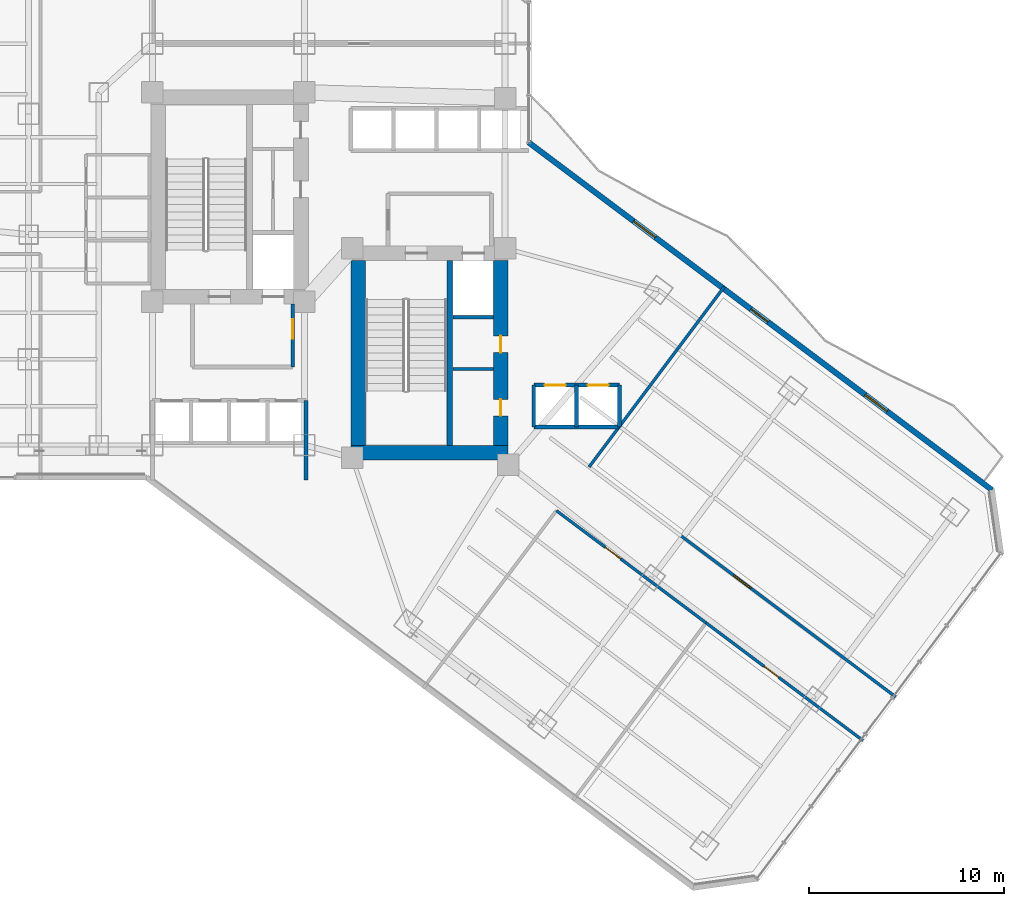
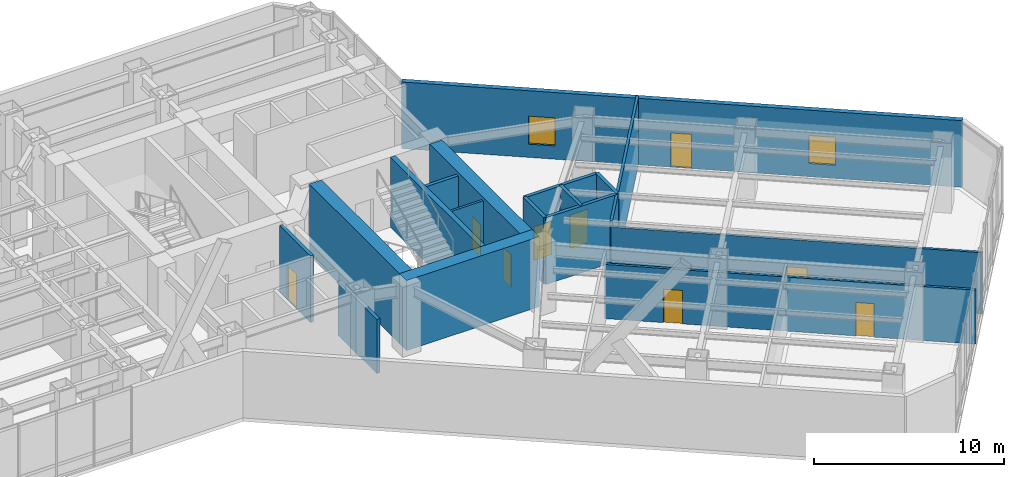
# One storey, part 22 of 29: 18 walls, 9 doors, 2 windows, 11 openings.
"""IFC4 building model written with IfcOpenShell, lengths in metres."""

from ifc_helpers import new_model, si_unit, direction, frame, frame_2d, origin, place, context, subcontext, project, spatial, rectangle, extrude, material, layer, layer_set, type_object, element, fill, save


model = new_model("IFC4")

# Units and contexts
model_context = context("Model", 3, precision=1e-05, world=origin(), true_north=direction((0.0, 1.0)))
body_context = subcontext(model_context, "Body", "Model", "MODEL_VIEW")
ifc_project = project(units=[si_unit("LENGTHUNIT", "METRE"), si_unit("AREAUNIT", "SQUARE_METRE"), si_unit("VOLUMEUNIT", "CUBIC_METRE"), si_unit("PLANEANGLEUNIT", "RADIAN"), si_unit("MASSUNIT", "GRAM", prefix="KILO")], contexts=[model_context])

# Site, building, storey
site_placement = place(None, origin())
site = spatial("IfcSite", under=ifc_project, at=site_placement, CompositionType="ELEMENT")
building_placement = place(site_placement, origin())
building = spatial("IfcBuilding", under=site, at=building_placement, Name="Hatsunagi Terrace Concourse", CompositionType="ELEMENT")
storey_placement = place(building_placement, frame((0.0, 0.0, 32.10009765625)))
storey = spatial("IfcBuildingStorey", under=building, at=storey_placement, Name="L07", CompositionType="ELEMENT", Elevation=32.10009765625)

# Walls
ifc_material_1 = material(Name="Concrete Fc60", Category="concrete")
ifc_layer_1 = layer(ifc_material_1, 0.75)
ifc_layer_set_1 = layer_set([ifc_layer_1], Name="CoreShearWall_Fc60_750")
wall_type_1 = type_object("IfcWallType", Name="CoreShearWall_Fc60_750", PredefinedType="SHEAR", material=ifc_layer_set_1)
wall_1_placement = place(storey_placement, frame((35.739990234375, 24.81494140625, 0.0), z_axis=(0.0, 0.0, 1.0), x_axis=(1.0, 0.0, 0.0)))
element("IfcWall", 1, at=wall_1_placement, inside=storey, type_object=wall_type_1, Name="Core B Shear Wall S L07", PredefinedType="SHEAR", context=body_context, shape_type="SweptSolid", body=[
    extrude(rectangle(XDim=8.06005859375, YDim=0.75, at=frame_2d((4.030029296875, 0.0))), origin(), (0.0, 0.0, 1.0), 4.5),
])
wall_2_placement = place(storey_placement, frame((36.114990234375, 25.18994140625, 0.0), z_axis=(0.0, 0.0, 1.0), x_axis=(0.0, 1.0, 0.0)))
element("IfcWall", 2, at=wall_2_placement, inside=storey, type_object=wall_type_1, Name="Core B Shear Wall W L07", PredefinedType="SHEAR", context=body_context, shape_type="SweptSolid", body=[
    extrude(rectangle(XDim=9.47998046875, YDim=0.75, at=frame_2d((4.739990234375, 0.0))), origin(), (0.0, 0.0, 1.0), 4.5),
])

# Wall, openings, doors
wall_3_placement = place(storey_placement, frame((43.425048828125, 25.18994140625, 0.0), z_axis=(0.0, 0.0, 1.0), x_axis=(0.0, 1.0, 0.0)))
wall_3 = element("IfcWall", 3, at=wall_3_placement, inside=storey, type_object=wall_type_1, Name="Core B Shear Wall E L07", PredefinedType="SHEAR", context=body_context, shape_type="SweptSolid", body=[
    extrude(rectangle(XDim=9.47998046875, YDim=0.75, at=frame_2d((4.739990234375, 0.0))), origin(), (0.0, 0.0, 1.0), 4.5),
])
opening_1_placement = place(wall_3_placement, frame((1.510009765625, 0.0, 0.0)))
opening_1 = element("IfcOpeningElement", 4, at=opening_1_placement, cuts=wall_3, Name="Opening DR-085", PredefinedType="OPENING", context=body_context, shape_type="SweptSolid", body=[
    extrude(rectangle(XDim=0.85009765625, YDim=2.080078125, at=frame_2d((0.425048828125, 1.0400390625))), frame((0.0, 0.385009765625, 0.0), z_axis=(0.0, -1.0, 0.0), x_axis=(1.0, 0.0, 0.0)), (0.0, 0.0, 1.0), 0.77001953125),
])
opening_2_placement = place(wall_3_placement, frame((4.760009765625, 0.0, 0.0)))
opening_2 = element("IfcOpeningElement", 5, at=opening_2_placement, cuts=wall_3, Name="Opening DR-085", PredefinedType="OPENING", context=body_context, shape_type="SweptSolid", body=[
    extrude(rectangle(XDim=0.85009765625, YDim=2.080078125, at=frame_2d((0.425048828125, 1.0400390625))), frame((0.0, 0.385009765625, 0.0), z_axis=(0.0, -1.0, 0.0), x_axis=(1.0, 0.0, 0.0)), (0.0, 0.0, 1.0), 0.77001953125),
])
ifc_material_2 = material(Name="Painted steel", Category="steel")
door_type_1 = type_object("IfcDoorType", Name="RiserAccessDoor_EI60_850", OperationType="NOTDEFINED", PredefinedType="DOOR", material=ifc_material_2)
door_1_placement = place(opening_1_placement, origin())
door_1 = element("IfcDoor", 6, at=door_1_placement, inside=storey, type_object=door_type_1, Name="Core B Riser Door L07-1", OperationType="SINGLE_SWING_RIGHT", OverallHeight=2.080078125, OverallWidth=0.85009765625, PredefinedType="DOOR", context=body_context, shape_type="SweptSolid", body=[
    extrude(rectangle(XDim=0.85009765625, YDim=2.080078125, at=frame_2d((0.425048828125, 1.0400390625))), frame((0.0, 0.02490234375, 0.0), z_axis=(0.0, -1.0, 0.0), x_axis=(1.0, 0.0, 0.0)), (0.0, 0.0, 1.0), 0.050048828125),
])
fill(opening_1, door_1)
door_2_placement = place(opening_2_placement, origin())
door_2 = element("IfcDoor", 7, at=door_2_placement, inside=storey, type_object=door_type_1, Name="Core B Riser Door L07-2", OperationType="SINGLE_SWING_RIGHT", OverallHeight=2.080078125, OverallWidth=0.85009765625, PredefinedType="DOOR", context=body_context, shape_type="SweptSolid", body=[
    extrude(rectangle(XDim=0.85009765625, YDim=2.080078125, at=frame_2d((0.425048828125, 1.0400390625))), frame((0.0, 0.02490234375, 0.0), z_axis=(0.0, -1.0, 0.0), x_axis=(1.0, 0.0, 0.0)), (0.0, 0.0, 1.0), 0.050048828125),
])
fill(opening_2, door_2)

# Walls
ifc_material_3 = material(Name="Concrete Fc48", Category="concrete")
ifc_layer_2 = layer(ifc_material_3, 0.300048828125)
ifc_layer_set_2 = layer_set([ifc_layer_2], Name="CoreStairDivider_Fc48_300")
wall_type_2 = type_object("IfcWallType", Name="CoreStairDivider_Fc48_300", PredefinedType="SHEAR", material=ifc_layer_set_2)
wall_4_placement = place(storey_placement, frame((40.81005859375, 25.18994140625, 0.0), z_axis=(0.0, 0.0, 1.0), x_axis=(0.0, 1.0, 0.0)))
element("IfcWall", 8, at=wall_4_placement, inside=storey, type_object=wall_type_2, Name="Core B Shear Wall D L07", PredefinedType="SHEAR", context=body_context, shape_type="SweptSolid", body=[
    extrude(rectangle(XDim=9.47998046875, YDim=0.300048828125, at=frame_2d((4.739990234375, 0.0))), origin(), (0.0, 0.0, 1.0), 4.5),
])
ifc_material_4 = material(Name="Acoustic mineral board", Category="gypsum")
ifc_layer_3 = layer(ifc_material_4, 0.14990234375)
ifc_layer_set_3 = layer_set([ifc_layer_3], Name="PartitionWall_EI60_150")
wall_type_3 = type_object("IfcWallType", Name="PartitionWall_EI60_150", PredefinedType="PARTITIONING", material=ifc_layer_set_3)
wall_5_placement = place(storey_placement, frame((40.969970703125, 29.10009765625, 0.0), z_axis=(0.0, 0.0, 1.0), x_axis=(1.0, 0.0, 0.0)))
element("IfcWall", 9, at=wall_5_placement, inside=storey, type_object=wall_type_3, Name="Interior Partition IW-L07-005", PredefinedType="PARTITIONING", context=body_context, shape_type="SweptSolid", body=[
    extrude(rectangle(XDim=2.080078125, YDim=0.14990234375, at=frame_2d((1.0400390625, 0.0))), origin(), (0.0, 0.0, 1.0), 4.27978515625),
])

# Wall, opening, door
wall_6_placement = place(storey_placement, frame((47.9599609375, 24.080078125, 0.0), z_axis=(0.0, 0.0, 1.0), x_axis=(0.799997019653, -0.600003973776, 0.0)))
wall_6 = element("IfcWall", 10, at=wall_6_placement, inside=storey, type_object=wall_type_3, Name="Interior Partition IW-L07-044", PredefinedType="PARTITIONING", context=body_context, shape_type="SweptSolid", body=[
    extrude(rectangle(XDim=19.66015625, YDim=0.14990234375, at=frame_2d((9.830078125, 0.0))), origin(), (0.0, 0.0, 1.0), 3.9248046875),
])
opening_3_placement = place(wall_6_placement, frame((9.280029296875, 0.0, 0.0)))
opening_3 = element("IfcOpeningElement", 11, at=opening_3_placement, cuts=wall_6, Name="Opening DR-110W", PredefinedType="OPENING", context=body_context, shape_type="SweptSolid", body=[
    extrude(rectangle(XDim=1.10009765625, YDim=2.159912109375, at=frame_2d((0.550048828125, 1.080078125))), frame((0.0, 0.0849609375, 0.0), z_axis=(0.0, -1.0, 0.0), x_axis=(1.0, 0.0, 0.0)), (0.0, 0.0, 1.0), 0.169921875),
])
ifc_material_5 = material(Name="Hardwood timber", Category="wood")
door_type_2 = type_object("IfcDoorType", Name="SuiteWideDoor_EI30_1100", OperationType="NOTDEFINED", PredefinedType="DOOR", material=ifc_material_5)
door_3_placement = place(opening_3_placement, origin())
door_3 = element("IfcDoor", 12, at=door_3_placement, inside=storey, type_object=door_type_2, Name="Business Centre L07-BIZ Door", OperationType="SINGLE_SWING_LEFT", OverallHeight=2.159912109375, OverallWidth=1.10009765625, PredefinedType="DOOR", context=body_context, shape_type="SweptSolid", body=[
    extrude(rectangle(XDim=1.10009765625, YDim=2.159912109375, at=frame_2d((0.550048828125, 1.080078125))), frame((0.0, 0.02490234375, 0.0), z_axis=(0.0, -1.0, 0.0), x_axis=(1.0, 0.0, 0.0)), (0.0, 0.0, 1.0), 0.050048828125),
])
fill(opening_3, door_3)

# Wall
wall_7_placement = place(storey_placement, frame((47.9599609375, 24.080078125, 0.0), z_axis=(0.0, 0.0, 1.0), x_axis=(0.600010137399, 0.799992396851, 0.0)))
element("IfcWall", 13, at=wall_7_placement, inside=storey, type_object=wall_type_3, Name="Interior Partition IW-L07-045", PredefinedType="PARTITIONING", context=body_context, shape_type="SweptSolid", body=[
    extrude(rectangle(XDim=11.559814453125, YDim=0.14990234375, at=frame_2d((5.77978515625, 0.0))), origin(), (0.0, 0.0, 1.0), 4.27978515625),
])

# Wall, opening, door
wall_8_placement = place(storey_placement, frame((46.280029296875, 21.840087890625, 0.0), z_axis=(0.0, 0.0, 1.0), x_axis=(0.799996948216, -0.600004069023, 0.0)))
wall_8 = element("IfcWall", 14, at=wall_8_placement, inside=storey, type_object=wall_type_3, Name="Interior Partition IW-L07-046", PredefinedType="PARTITIONING", context=body_context, shape_type="SweptSolid", body=[
    extrude(rectangle(XDim=9.599853515625, YDim=0.14990234375, at=frame_2d((4.7998046875, 0.0))), origin(), (0.0, 0.0, 1.0), 3.474853515625),
])
opening_4_placement = place(wall_8_placement, frame((3.1240234375, 0.0, 0.0)))
opening_4 = element("IfcOpeningElement", 15, at=opening_4_placement, cuts=wall_8, Name="Opening DR-100S", PredefinedType="OPENING", context=body_context, shape_type="SweptSolid", body=[
    extrude(rectangle(XDim=1.0, YDim=2.14990234375, at=frame_2d((0.5, 1.074951171875))), frame((0.0, 0.0849609375, 0.0), z_axis=(0.0, -1.0, 0.0), x_axis=(1.0, 0.0, 0.0)), (0.0, 0.0, 1.0), 0.169921875),
])
ifc_material_6 = material(Name="Hardwood timber", Category="wood")
door_type_3 = type_object("IfcDoorType", Name="SuiteDoor_EI30_1000", OperationType="NOTDEFINED", PredefinedType="DOOR", material=ifc_material_6)
door_4_placement = place(opening_4_placement, origin())
door_4 = element("IfcDoor", 16, at=door_4_placement, inside=storey, type_object=door_type_3, Name="Boardroom L07-HBRD Door", OperationType="SINGLE_SWING_RIGHT", OverallHeight=2.14990234375, OverallWidth=1.0, PredefinedType="DOOR", context=body_context, shape_type="SweptSolid", body=[
    extrude(rectangle(XDim=1.0, YDim=2.14990234375, at=frame_2d((0.5, 1.074951171875))), frame((0.0, 0.02490234375, 0.0), z_axis=(0.0, -1.0, 0.0), x_axis=(1.0, 0.0, 0.0)), (0.0, 0.0, 1.0), 0.050048828125),
])
fill(opening_4, door_4)

wall_9_placement = place(storey_placement, frame((53.9599609375, 16.080078125, 0.0), z_axis=(0.0, 0.0, 1.0), x_axis=(0.799997087822, -0.600003882885, 0.0)))
wall_9 = element("IfcWall", 17, at=wall_9_placement, inside=storey, type_object=wall_type_3, Name="Interior Partition IW-L07-049", PredefinedType="PARTITIONING", context=body_context, shape_type="SweptSolid", body=[
    extrude(rectangle(XDim=10.06005859375, YDim=0.14990234375, at=frame_2d((5.030029296875, 0.0))), origin(), (0.0, 0.0, 1.0), 3.474853515625),
])
opening_5_placement = place(wall_9_placement, frame((3.719970703125, 0.0, 0.0)))
opening_5 = element("IfcOpeningElement", 18, at=opening_5_placement, cuts=wall_9, Name="Opening DR-095", PredefinedType="OPENING", context=body_context, shape_type="SweptSolid", body=[
    extrude(rectangle(XDim=0.949951171875, YDim=2.14990234375, at=frame_2d((0.47509765625, 1.074951171875))), frame((0.0, 0.0849609375, 0.0), z_axis=(0.0, -1.0, 0.0), x_axis=(1.0, 0.0, 0.0)), (0.0, 0.0, 1.0), 0.169921875),
])
ifc_material_7 = material(Name="Hardwood timber", Category="wood")
door_type_4 = type_object("IfcDoorType", Name="InteriorSuiteDoor_EI30_950", OperationType="NOTDEFINED", PredefinedType="DOOR", material=ifc_material_7)
door_5_placement = place(opening_5_placement, origin())
door_5 = element("IfcDoor", 19, at=door_5_placement, inside=storey, type_object=door_type_4, Name="Meeting Room L07-HMTG Door", OperationType="SINGLE_SWING_RIGHT", OverallHeight=2.14990234375, OverallWidth=0.949951171875, PredefinedType="DOOR", context=body_context, shape_type="SweptSolid", body=[
    extrude(rectangle(XDim=0.949951171875, YDim=2.14990234375, at=frame_2d((0.47509765625, 1.074951171875))), frame((0.0, 0.02490234375, 0.0), z_axis=(0.0, -1.0, 0.0), x_axis=(1.0, 0.0, 0.0)), (0.0, 0.0, 1.0), 0.050048828125),
])
fill(opening_5, door_5)

# Wall
ifc_material_8 = material(Name="Acoustic mineral board", Category="gypsum")
ifc_layer_4 = layer(ifc_material_8, 0.199951171875)
ifc_layer_set_4 = layer_set([ifc_layer_4], Name="ShaftWall_EI120_200")
wall_type_4 = type_object("IfcWallType", Name="ShaftWall_EI120_200", PredefinedType="STANDARD", material=ifc_layer_set_4)
wall_10_placement = place(storey_placement, frame((40.969970703125, 31.760009765625, 0.0), z_axis=(0.0, 0.0, 1.0), x_axis=(1.0, 0.0, 0.0)))
element("IfcWall", 20, at=wall_10_placement, inside=storey, type_object=wall_type_4, Name="Interior Partition IW-L07-004", PredefinedType="STANDARD", context=body_context, shape_type="SweptSolid", body=[
    extrude(rectangle(XDim=2.080078125, YDim=0.199951171875, at=frame_2d((1.0400390625, 0.0))), origin(), (0.0, 0.0, 1.0), 4.27978515625),
])

# Wall, opening, door
wall_11_placement = place(storey_placement, frame((32.75, 29.199951171875, 0.0), z_axis=(0.0, 0.0, 1.0), x_axis=(0.0, 1.0, 0.0)))
wall_11 = element("IfcWall", 21, at=wall_11_placement, inside=storey, type_object=wall_type_4, Name="Interior Partition IW-L07-008", PredefinedType="STANDARD", context=body_context, shape_type="SweptSolid", body=[
    extrude(rectangle(XDim=3.239990234375, YDim=0.199951171875, at=frame_2d((1.6201171875, 0.0))), origin(), (0.0, 0.0, 1.0), 4.27978515625),
])
opening_6_placement = place(wall_11_placement, frame((1.449951171875, 0.0, 0.0)))
opening_6 = element("IfcOpeningElement", 22, at=opening_6_placement, cuts=wall_11, Name="Opening DR-100F", PredefinedType="OPENING", context=body_context, shape_type="SweptSolid", body=[
    extrude(rectangle(XDim=1.0, YDim=2.199951171875, at=frame_2d((0.5, 1.10009765625))), frame((0.0, 0.10986328125, 0.0), z_axis=(0.0, -1.0, 0.0), x_axis=(1.0, 0.0, 0.0)), (0.0, 0.0, 1.0), 0.219970703125),
])
ifc_material_9 = material(Name="Painted steel", Category="steel")
door_type_5 = type_object("IfcDoorType", Name="FireDoor_EI60_1000", OperationType="NOTDEFINED", PredefinedType="DOOR", material=ifc_material_9)
door_6_placement = place(opening_6_placement, origin())
door_6 = element("IfcDoor", 23, at=door_6_placement, inside=storey, type_object=door_type_5, Name="Firefighting Lobby A Door L07", OperationType="SINGLE_SWING_RIGHT", OverallHeight=2.199951171875, OverallWidth=1.0, PredefinedType="DOOR", context=body_context, shape_type="SweptSolid", body=[
    extrude(rectangle(XDim=1.0, YDim=2.199951171875, at=frame_2d((0.5, 1.10009765625))), frame((0.0, 0.02490234375, 0.0), z_axis=(0.0, -1.0, 0.0), x_axis=(1.0, 0.0, 0.0)), (0.0, 0.0, 1.0), 0.050048828125),
])
fill(opening_6, door_6)

# Walls
wall_12_placement = place(storey_placement, frame((33.429931640625, 23.39990234375, 0.0), z_axis=(0.0, 0.0, 1.0), x_axis=(0.0, 1.0, 0.0)))
element("IfcWall", 24, at=wall_12_placement, inside=storey, type_object=wall_type_4, Name="Interior Partition IW-L07-013", PredefinedType="STANDARD", context=body_context, shape_type="SweptSolid", body=[
    extrude(rectangle(XDim=4.080078125, YDim=0.199951171875, at=frame_2d((2.0400390625, 0.0))), origin(), (0.0, 0.0, 1.0), 3.474853515625),
])
wall_13_placement = place(storey_placement, frame((45.1201171875, 26.1201171875, 0.0), z_axis=(0.0, 0.0, 1.0), x_axis=(1.0, 0.0, 0.0)))
element("IfcWall", 25, at=wall_13_placement, inside=storey, type_object=wall_type_4, Name="Interior Partition IW-L07-025", PredefinedType="STANDARD", context=body_context, shape_type="SweptSolid", body=[
    extrude(rectangle(XDim=4.39990234375, YDim=0.199951171875, at=frame_2d((2.199951171875, 0.0))), origin(), (0.0, 0.0, 1.0), 4.27978515625),
])
for number, where, z_axis, x_axis, name in (
    (26, (45.1201171875, 26.1201171875, 0.0), (0.0, 0.0, 1.0), (0.0, 1.0, 0.0), "Interior Partition IW-L07-026"),
    (27, (49.52001953125, 26.1201171875, 0.0), (0.0, 0.0, 1.0), (0.0, 1.0, 0.0), "Interior Partition IW-L07-027"),
    (28, (47.320068359375, 26.1201171875, 0.0), (0.0, 0.0, 1.0), (0.0, 1.0, 0.0), "Interior Partition IW-L07-028"),
):
    element("IfcWall", number, at=place(storey_placement, frame(where, z_axis=z_axis, x_axis=x_axis)), inside=storey, type_object=wall_type_4, Name=name, PredefinedType="STANDARD", context=body_context, shape_type="SweptSolid", body=[
        extrude(rectangle(XDim=2.159912109375, YDim=0.199951171875, at=frame_2d((1.080078125, 0.0))), origin(), (0.0, 0.0, 1.0), 4.27978515625),
    ])

# Wall, openings, doors
wall_14_placement = place(storey_placement, frame((45.1201171875, 28.280029296875, 0.0), z_axis=(0.0, 0.0, 1.0), x_axis=(1.0, 0.0, 0.0)))
wall_14 = element("IfcWall", 29, at=wall_14_placement, inside=storey, type_object=wall_type_4, Name="Interior Partition IW-L07-029", PredefinedType="STANDARD", context=body_context, shape_type="SweptSolid", body=[
    extrude(rectangle(XDim=4.39990234375, YDim=0.199951171875, at=frame_2d((2.199951171875, 0.0))), origin(), (0.0, 0.0, 1.0), 4.27978515625),
])
opening_7_placement = place(wall_14_placement, frame((0.56005859375, 0.0, 0.0)))
opening_7 = element("IfcOpeningElement", 30, at=opening_7_placement, cuts=wall_14, Name="Opening LD-03", PredefinedType="OPENING", context=body_context, shape_type="SweptSolid", body=[
    extrude(rectangle(XDim=1.080078125, YDim=2.14990234375, at=frame_2d((0.5400390625, 1.074951171875))), frame((0.0, 0.10986328125, 0.0), z_axis=(0.0, -1.0, 0.0), x_axis=(1.0, 0.0, 0.0)), (0.0, 0.0, 1.0), 0.219970703125),
])
opening_8_placement = place(wall_14_placement, frame((2.760009765625, 0.0, 0.0)))
opening_8 = element("IfcOpeningElement", 31, at=opening_8_placement, cuts=wall_14, Name="Opening LD-03", PredefinedType="OPENING", context=body_context, shape_type="SweptSolid", body=[
    extrude(rectangle(XDim=1.080078125, YDim=2.14990234375, at=frame_2d((0.5400390625, 1.074951171875))), frame((0.0, 0.10986328125, 0.0), z_axis=(0.0, -1.0, 0.0), x_axis=(1.0, 0.0, 0.0)), (0.0, 0.0, 1.0), 0.219970703125),
])
ifc_material_10 = material(Name="Stainless steel", Category="steel")
door_type_6 = type_object("IfcDoorType", Name="LiftLandingDoor_LD03", OperationType="SLIDING_TO_LEFT", PredefinedType="USERDEFINED", material=ifc_material_10)
door_7_placement = place(opening_7_placement, origin())
door_7 = element("IfcDoor", 32, at=door_7_placement, inside=storey, type_object=door_type_6, Name="Lift landing door PL-09 L07", ObjectType="SLIDING_LANDING_DOOR", OperationType="SLIDING_TO_LEFT", OverallHeight=2.14990234375, OverallWidth=1.080078125, PredefinedType="USERDEFINED", context=body_context, shape_type="SweptSolid", body=[
    extrude(rectangle(XDim=1.080078125, YDim=2.14990234375, at=frame_2d((0.5400390625, 1.074951171875))), frame((0.0, 0.02490234375, 0.0), z_axis=(0.0, -1.0, 0.0), x_axis=(1.0, 0.0, 0.0)), (0.0, 0.0, 1.0), 0.050048828125),
])
fill(opening_7, door_7)
door_8_placement = place(opening_8_placement, origin())
door_8 = element("IfcDoor", 33, at=door_8_placement, inside=storey, type_object=door_type_6, Name="Lift landing door PL-10 L07", ObjectType="SLIDING_LANDING_DOOR", OperationType="SLIDING_TO_LEFT", OverallHeight=2.14990234375, OverallWidth=1.080078125, PredefinedType="USERDEFINED", context=body_context, shape_type="SweptSolid", body=[
    extrude(rectangle(XDim=1.080078125, YDim=2.14990234375, at=frame_2d((0.5400390625, 1.074951171875))), frame((0.0, 0.02490234375, 0.0), z_axis=(0.0, -1.0, 0.0), x_axis=(1.0, 0.0, 0.0)), (0.0, 0.0, 1.0), 0.050048828125),
])
fill(opening_8, door_8)

# Wall, openings, door, windows
ifc_material_11 = material(Name="Autoclaved Lightweight Concrete and Terracotta Cladding", Category="masonry")
ifc_layer_5 = layer(ifc_material_11, 0.280029296875)
ifc_layer_set_5 = layer_set([ifc_layer_5], Name="TerracottaSpandrelWall_280")
wall_type_5 = type_object("IfcWallType", Name="TerracottaSpandrelWall_280", PredefinedType="STANDARD", material=ifc_layer_set_5)
wall_15_placement = place(storey_placement, frame((44.860107421875, 40.72998046875, 0.0), z_axis=(0.0, 0.0, 1.0), x_axis=(0.800006902154, -0.599990797017, 0.0)))
wall_15 = element("IfcWall", 34, at=wall_15_placement, inside=storey, type_object=wall_type_5, Name="Exterior Spandrel Wall EW-L07-01", PredefinedType="STANDARD", context=body_context, shape_type="SweptSolid", body=[
    extrude(rectangle(XDim=29.7119140625, YDim=0.280029296875, at=frame_2d((14.85595703125, 0.0))), origin(), (0.0, 0.0, 1.0), 4.27978515625),
])
opening_9_placement = place(wall_15_placement, frame((14.2490234375, 0.0, 0.0)))
opening_9 = element("IfcOpeningElement", 35, at=opening_9_placement, cuts=wall_15, Name="Opening BD-01", PredefinedType="OPENING", context=body_context, shape_type="SweptSolid", body=[
    extrude(rectangle(XDim=1.10009765625, YDim=2.199951171875, at=frame_2d((0.550048828125, 1.10009765625))), frame((0.0, 0.14990234375, 0.0), z_axis=(0.0, -1.0, 0.0), x_axis=(1.0, 0.0, 0.0)), (0.0, 0.0, 1.0), 0.300048828125),
])
opening_10_placement = place(wall_15_placement, frame((6.72802734375, 0.0, 0.85009765625)))
opening_10 = element("IfcOpeningElement", 36, at=opening_10_placement, cuts=wall_15, Name="Opening WIN-02", PredefinedType="OPENING", context=body_context, shape_type="SweptSolid", body=[
    extrude(rectangle(XDim=1.39990234375, YDim=1.800048828125, at=frame_2d((0.699951171875, 0.89990234375))), frame((0.0, 0.14990234375, 0.0), z_axis=(0.0, -1.0, 0.0), x_axis=(1.0, 0.0, 0.0)), (0.0, 0.0, 1.0), 0.300048828125),
])
opening_11_placement = place(wall_15_placement, frame((21.583984375, 0.0, 0.85009765625)))
opening_11 = element("IfcOpeningElement", 37, at=opening_11_placement, cuts=wall_15, Name="Opening WIN-02", PredefinedType="OPENING", context=body_context, shape_type="SweptSolid", body=[
    extrude(rectangle(XDim=1.39990234375, YDim=1.800048828125, at=frame_2d((0.699951171875, 0.89990234375))), frame((0.0, 0.14990234375, 0.0), z_axis=(0.0, -1.0, 0.0), x_axis=(1.0, 0.0, 0.0)), (0.0, 0.0, 1.0), 0.300048828125),
])
ifc_material_12 = material(Name="Galvanised Steel and Laminated Safety Glass", Category="steel")
door_type_7 = type_object("IfcDoorType", Name="BalconyTerraceAccessDoor_1100x2200", OperationType="SINGLE_SWING_LEFT", PredefinedType="DOOR", material=ifc_material_12)
door_9_placement = place(opening_9_placement, origin())
door_9 = element("IfcDoor", 38, at=door_9_placement, inside=storey, type_object=door_type_7, Name="Engawa Balcony Door L07-BSE", OperationType="SINGLE_SWING_LEFT", OverallHeight=2.199951171875, OverallWidth=1.10009765625, PredefinedType="DOOR", context=body_context, shape_type="SweptSolid", body=[
    extrude(rectangle(XDim=1.10009765625, YDim=2.199951171875, at=frame_2d((0.550048828125, 1.10009765625))), frame((0.0, 0.02490234375, 0.0), z_axis=(0.0, -1.0, 0.0), x_axis=(1.0, 0.0, 0.0)), (0.0, 0.0, 1.0), 0.050048828125),
])
fill(opening_9, door_9)
ifc_material_13 = material(Name="Thermally Broken Aluminium and Low-E Triple Glazing", Category="aluminium")
window_type = type_object("IfcWindowType", Name="HotelOperableVentWindow_1400x1800", PartitioningType="DOUBLE_PANEL_VERTICAL", PredefinedType="WINDOW", material=ifc_material_13)
window_1_placement = place(opening_10_placement, origin())
window_1 = element("IfcWindow", 39, at=window_1_placement, inside=storey, type_object=window_type, Name="Balcony Daylighting Window L07-01-1", OverallHeight=1.800048828125, OverallWidth=1.39990234375, PartitioningType="SINGLE_PANEL", PredefinedType="WINDOW", context=body_context, shape_type="SweptSolid", body=[
    extrude(rectangle(XDim=1.39990234375, YDim=1.800048828125, at=frame_2d((0.699951171875, 0.89990234375))), frame((0.0, 0.030029296875, 0.0), z_axis=(0.0, -1.0, 0.0), x_axis=(1.0, 0.0, 0.0)), (0.0, 0.0, 1.0), 0.06005859375),
])
fill(opening_10, window_1)
window_2_placement = place(opening_11_placement, origin())
window_2 = element("IfcWindow", 40, at=window_2_placement, inside=storey, type_object=window_type, Name="Balcony Daylighting Window L07-01-2", OverallHeight=1.800048828125, OverallWidth=1.39990234375, PartitioningType="SINGLE_PANEL", PredefinedType="WINDOW", context=body_context, shape_type="SweptSolid", body=[
    extrude(rectangle(XDim=1.39990234375, YDim=1.800048828125, at=frame_2d((0.699951171875, 0.89990234375))), frame((0.0, 0.030029296875, 0.0), z_axis=(0.0, -1.0, 0.0), x_axis=(1.0, 0.0, 0.0)), (0.0, 0.0, 1.0), 0.06005859375),
])
fill(opening_11, window_2)

save(model, "model.ifc")
